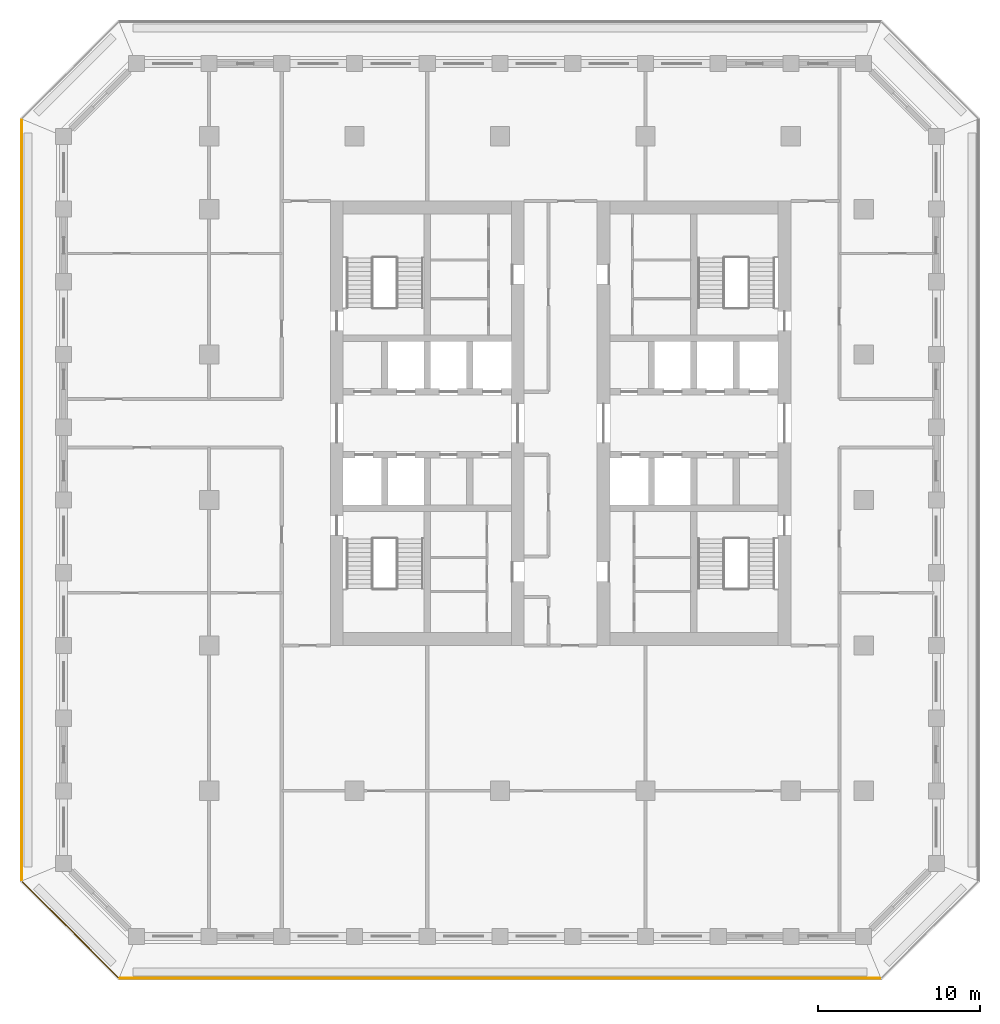
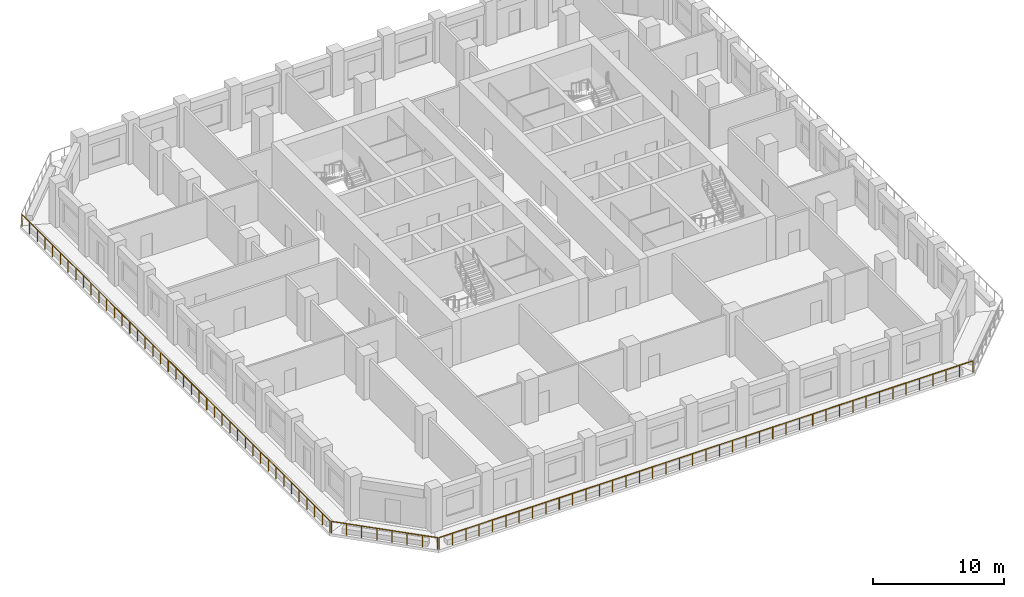
# One storey, part 9 of 16: 3 railings.
"""IFC4 building model written with IfcOpenShell, lengths in metres."""

from ifc_helpers import new_model, si_unit, direction, frame, origin, origin_2d, place, context, subcontext, project, spatial, circle, extrude, material, type_object, element, save


model = new_model("IFC4")

# Units and contexts
model_context = context("Model", 3, precision=1e-05, world=origin(), true_north=direction((0.0, 1.0)))
body_context = subcontext(model_context, "Body", "Model", "MODEL_VIEW")
ifc_project = project(units=[si_unit("LENGTHUNIT", "METRE"), si_unit("AREAUNIT", "SQUARE_METRE"), si_unit("VOLUMEUNIT", "CUBIC_METRE"), si_unit("PLANEANGLEUNIT", "RADIAN"), si_unit("MASSUNIT", "GRAM", prefix="KILO")], contexts=[model_context])

# Site, building, storey
site_placement = place(None, origin())
site = spatial("IfcSite", under=ifc_project, at=site_placement, CompositionType="ELEMENT")
building_placement = place(site_placement, origin())
building = spatial("IfcBuilding", under=site, at=building_placement, Name="Corbel Stack Research Tower", CompositionType="ELEMENT")
storey_placement = place(building_placement, frame((0.0, 0.0, 169.10009765625)))
storey = spatial("IfcBuildingStorey", under=building, at=storey_placement, Name="L38", CompositionType="ELEMENT", Elevation=169.10009765625)

# Railings
ifc_material = material(Name="Powder-coated steel guard", Category="steel")
railing_type = type_object("IfcRailingType", Name="Steel and glass guard 1100", PredefinedType="GUARDRAIL", material=ifc_material)
railing_1_placement = place(storey_placement, frame((-23.50537109375, -29.60009765625, 0.0)))
element("IfcRailing", 1, at=railing_1_placement, inside=storey, type_object=railing_type, Name="Loggia guard L38 S", PredefinedType="GUARDRAIL", context=body_context, shape_type="SweptSolid", body=[
    extrude(circle(Radius=0.02392578125, at=origin_2d()), frame((0.0, 0.0, 1.076171875), z_axis=(1.0, 0.0, 0.0), x_axis=(0.0, 1.0, 0.0)), (0.0, 0.0, 1.0), 47.0107421875),
    extrude(circle(Radius=0.02099609375, at=origin_2d()), origin(), (0.0, 0.0, 1.0), 1.052001953125),
    extrude(circle(Radius=0.02099609375, at=origin_2d()), frame((1.17529296875, 0.0, 0.0)), (0.0, 0.0, 1.0), 1.052001953125),
    extrude(circle(Radius=0.02099609375, at=origin_2d()), frame((2.3505859375, 0.0, 0.0)), (0.0, 0.0, 1.0), 1.052001953125),
    extrude(circle(Radius=0.02099609375, at=origin_2d()), frame((3.52587890625, 0.0, 0.0)), (0.0, 0.0, 1.0), 1.052001953125),
    extrude(circle(Radius=0.02099609375, at=origin_2d()), frame((4.701171875, 0.0, 0.0)), (0.0, 0.0, 1.0), 1.052001953125),
    extrude(circle(Radius=0.02099609375, at=origin_2d()), frame((5.87646484375, 0.0, 0.0)), (0.0, 0.0, 1.0), 1.052001953125),
    extrude(circle(Radius=0.02099609375, at=origin_2d()), frame((7.051513671875, 0.0, 0.0)), (0.0, 0.0, 1.0), 1.052001953125),
    extrude(circle(Radius=0.02099609375, at=origin_2d()), frame((8.226806640625, 0.0, 0.0)), (0.0, 0.0, 1.0), 1.052001953125),
    extrude(circle(Radius=0.02099609375, at=origin_2d()), frame((9.402099609375, 0.0, 0.0)), (0.0, 0.0, 1.0), 1.052001953125),
    extrude(circle(Radius=0.02099609375, at=origin_2d()), frame((10.577392578125, 0.0, 0.0)), (0.0, 0.0, 1.0), 1.052001953125),
    extrude(circle(Radius=0.02099609375, at=origin_2d()), frame((11.752685546875, 0.0, 0.0)), (0.0, 0.0, 1.0), 1.052001953125),
    extrude(circle(Radius=0.02099609375, at=origin_2d()), frame((12.927978515625, 0.0, 0.0)), (0.0, 0.0, 1.0), 1.052001953125),
    extrude(circle(Radius=0.02099609375, at=origin_2d()), frame((14.103271484375, 0.0, 0.0)), (0.0, 0.0, 1.0), 1.052001953125),
    extrude(circle(Radius=0.02099609375, at=origin_2d()), frame((15.278564453125, 0.0, 0.0)), (0.0, 0.0, 1.0), 1.052001953125),
    extrude(circle(Radius=0.02099609375, at=origin_2d()), frame((16.453857421875, 0.0, 0.0)), (0.0, 0.0, 1.0), 1.052001953125),
    extrude(circle(Radius=0.02099609375, at=origin_2d()), frame((17.62890625, 0.0, 0.0)), (0.0, 0.0, 1.0), 1.052001953125),
    extrude(circle(Radius=0.02099609375, at=origin_2d()), frame((18.80419921875, 0.0, 0.0)), (0.0, 0.0, 1.0), 1.052001953125),
    extrude(circle(Radius=0.02099609375, at=origin_2d()), frame((19.9794921875, 0.0, 0.0)), (0.0, 0.0, 1.0), 1.052001953125),
    extrude(circle(Radius=0.02099609375, at=origin_2d()), frame((21.15478515625, 0.0, 0.0)), (0.0, 0.0, 1.0), 1.052001953125),
    extrude(circle(Radius=0.02099609375, at=origin_2d()), frame((22.330078125, 0.0, 0.0)), (0.0, 0.0, 1.0), 1.052001953125),
    extrude(circle(Radius=0.02099609375, at=origin_2d()), frame((23.50537109375, 0.0, 0.0)), (0.0, 0.0, 1.0), 1.052001953125),
    extrude(circle(Radius=0.02099609375, at=origin_2d()), frame((24.6806640625, 0.0, 0.0)), (0.0, 0.0, 1.0), 1.052001953125),
    extrude(circle(Radius=0.02099609375, at=origin_2d()), frame((25.85595703125, 0.0, 0.0)), (0.0, 0.0, 1.0), 1.052001953125),
    extrude(circle(Radius=0.02099609375, at=origin_2d()), frame((27.03125, 0.0, 0.0)), (0.0, 0.0, 1.0), 1.052001953125),
    extrude(circle(Radius=0.02099609375, at=origin_2d()), frame((28.20654296875, 0.0, 0.0)), (0.0, 0.0, 1.0), 1.052001953125),
    extrude(circle(Radius=0.02099609375, at=origin_2d()), frame((29.3818359375, 0.0, 0.0)), (0.0, 0.0, 1.0), 1.052001953125),
    extrude(circle(Radius=0.02099609375, at=origin_2d()), frame((30.556884765625, 0.0, 0.0)), (0.0, 0.0, 1.0), 1.052001953125),
    extrude(circle(Radius=0.02099609375, at=origin_2d()), frame((31.732177734375, 0.0, 0.0)), (0.0, 0.0, 1.0), 1.052001953125),
    extrude(circle(Radius=0.02099609375, at=origin_2d()), frame((32.907470703125, 0.0, 0.0)), (0.0, 0.0, 1.0), 1.052001953125),
    extrude(circle(Radius=0.02099609375, at=origin_2d()), frame((34.082763671875, 0.0, 0.0)), (0.0, 0.0, 1.0), 1.052001953125),
    extrude(circle(Radius=0.02099609375, at=origin_2d()), frame((35.258056640625, 0.0, 0.0)), (0.0, 0.0, 1.0), 1.052001953125),
    extrude(circle(Radius=0.02099609375, at=origin_2d()), frame((36.433349609375, 0.0, 0.0)), (0.0, 0.0, 1.0), 1.052001953125),
    extrude(circle(Radius=0.02099609375, at=origin_2d()), frame((37.608642578125, 0.0, 0.0)), (0.0, 0.0, 1.0), 1.052001953125),
    extrude(circle(Radius=0.02099609375, at=origin_2d()), frame((38.783935546875, 0.0, 0.0)), (0.0, 0.0, 1.0), 1.052001953125),
    extrude(circle(Radius=0.02099609375, at=origin_2d()), frame((39.959228515625, 0.0, 0.0)), (0.0, 0.0, 1.0), 1.052001953125),
    extrude(circle(Radius=0.02099609375, at=origin_2d()), frame((41.13427734375, 0.0, 0.0)), (0.0, 0.0, 1.0), 1.052001953125),
    extrude(circle(Radius=0.02099609375, at=origin_2d()), frame((42.3095703125, 0.0, 0.0)), (0.0, 0.0, 1.0), 1.052001953125),
    extrude(circle(Radius=0.02099609375, at=origin_2d()), frame((43.48486328125, 0.0, 0.0)), (0.0, 0.0, 1.0), 1.052001953125),
    extrude(circle(Radius=0.02099609375, at=origin_2d()), frame((44.66015625, 0.0, 0.0)), (0.0, 0.0, 1.0), 1.052001953125),
    extrude(circle(Radius=0.02099609375, at=origin_2d()), frame((45.83544921875, 0.0, 0.0)), (0.0, 0.0, 1.0), 1.052001953125),
    extrude(circle(Radius=0.02099609375, at=origin_2d()), frame((47.0107421875, 0.0, 0.0)), (0.0, 0.0, 1.0), 1.052001953125),
])
railing_2_placement = place(storey_placement, frame((-29.60009765625, 23.50537109375, 0.0)))
element("IfcRailing", 2, at=railing_2_placement, inside=storey, type_object=railing_type, Name="Loggia guard L38 W", PredefinedType="GUARDRAIL", context=body_context, shape_type="SweptSolid", body=[
    extrude(circle(Radius=0.02392578125, at=origin_2d()), frame((0.0, 0.0, 1.076171875), z_axis=(0.0, -1.0, 0.0), x_axis=(1.0, 0.0, 0.0)), (0.0, 0.0, 1.0), 47.0107421875),
    extrude(circle(Radius=0.02099609375, at=origin_2d()), origin(), (0.0, 0.0, 1.0), 1.052001953125),
    extrude(circle(Radius=0.02099609375, at=origin_2d()), frame((0.0, -1.17529296875, 0.0)), (0.0, 0.0, 1.0), 1.052001953125),
    extrude(circle(Radius=0.02099609375, at=origin_2d()), frame((0.0, -2.3505859375, 0.0)), (0.0, 0.0, 1.0), 1.052001953125),
    extrude(circle(Radius=0.02099609375, at=origin_2d()), frame((0.0, -3.52587890625, 0.0)), (0.0, 0.0, 1.0), 1.052001953125),
    extrude(circle(Radius=0.02099609375, at=origin_2d()), frame((0.0, -4.701171875, 0.0)), (0.0, 0.0, 1.0), 1.052001953125),
    extrude(circle(Radius=0.02099609375, at=origin_2d()), frame((0.0, -5.87646484375, 0.0)), (0.0, 0.0, 1.0), 1.052001953125),
    extrude(circle(Radius=0.02099609375, at=origin_2d()), frame((0.0, -7.051513671875, 0.0)), (0.0, 0.0, 1.0), 1.052001953125),
    extrude(circle(Radius=0.02099609375, at=origin_2d()), frame((0.0, -8.226806640625, 0.0)), (0.0, 0.0, 1.0), 1.052001953125),
    extrude(circle(Radius=0.02099609375, at=origin_2d()), frame((0.0, -9.402099609375, 0.0)), (0.0, 0.0, 1.0), 1.052001953125),
    extrude(circle(Radius=0.02099609375, at=origin_2d()), frame((0.0, -10.577392578125, 0.0)), (0.0, 0.0, 1.0), 1.052001953125),
    extrude(circle(Radius=0.02099609375, at=origin_2d()), frame((0.0, -11.752685546875, 0.0)), (0.0, 0.0, 1.0), 1.052001953125),
    extrude(circle(Radius=0.02099609375, at=origin_2d()), frame((0.0, -12.927978515625, 0.0)), (0.0, 0.0, 1.0), 1.052001953125),
    extrude(circle(Radius=0.02099609375, at=origin_2d()), frame((0.0, -14.103271484375, 0.0)), (0.0, 0.0, 1.0), 1.052001953125),
    extrude(circle(Radius=0.02099609375, at=origin_2d()), frame((0.0, -15.278564453125, 0.0)), (0.0, 0.0, 1.0), 1.052001953125),
    extrude(circle(Radius=0.02099609375, at=origin_2d()), frame((0.0, -16.453857421875, 0.0)), (0.0, 0.0, 1.0), 1.052001953125),
    extrude(circle(Radius=0.02099609375, at=origin_2d()), frame((0.0, -17.62890625, 0.0)), (0.0, 0.0, 1.0), 1.052001953125),
    extrude(circle(Radius=0.02099609375, at=origin_2d()), frame((0.0, -18.80419921875, 0.0)), (0.0, 0.0, 1.0), 1.052001953125),
    extrude(circle(Radius=0.02099609375, at=origin_2d()), frame((0.0, -19.9794921875, 0.0)), (0.0, 0.0, 1.0), 1.052001953125),
    extrude(circle(Radius=0.02099609375, at=origin_2d()), frame((0.0, -21.15478515625, 0.0)), (0.0, 0.0, 1.0), 1.052001953125),
    extrude(circle(Radius=0.02099609375, at=origin_2d()), frame((0.0, -22.330078125, 0.0)), (0.0, 0.0, 1.0), 1.052001953125),
    extrude(circle(Radius=0.02099609375, at=origin_2d()), frame((0.0, -23.50537109375, 0.0)), (0.0, 0.0, 1.0), 1.052001953125),
    extrude(circle(Radius=0.02099609375, at=origin_2d()), frame((0.0, -24.6806640625, 0.0)), (0.0, 0.0, 1.0), 1.052001953125),
    extrude(circle(Radius=0.02099609375, at=origin_2d()), frame((0.0, -25.85595703125, 0.0)), (0.0, 0.0, 1.0), 1.052001953125),
    extrude(circle(Radius=0.02099609375, at=origin_2d()), frame((0.0, -27.03125, 0.0)), (0.0, 0.0, 1.0), 1.052001953125),
    extrude(circle(Radius=0.02099609375, at=origin_2d()), frame((0.0, -28.20654296875, 0.0)), (0.0, 0.0, 1.0), 1.052001953125),
    extrude(circle(Radius=0.02099609375, at=origin_2d()), frame((0.0, -29.3818359375, 0.0)), (0.0, 0.0, 1.0), 1.052001953125),
    extrude(circle(Radius=0.02099609375, at=origin_2d()), frame((0.0, -30.556884765625, 0.0)), (0.0, 0.0, 1.0), 1.052001953125),
    extrude(circle(Radius=0.02099609375, at=origin_2d()), frame((0.0, -31.732177734375, 0.0)), (0.0, 0.0, 1.0), 1.052001953125),
    extrude(circle(Radius=0.02099609375, at=origin_2d()), frame((0.0, -32.907470703125, 0.0)), (0.0, 0.0, 1.0), 1.052001953125),
    extrude(circle(Radius=0.02099609375, at=origin_2d()), frame((0.0, -34.082763671875, 0.0)), (0.0, 0.0, 1.0), 1.052001953125),
    extrude(circle(Radius=0.02099609375, at=origin_2d()), frame((0.0, -35.258056640625, 0.0)), (0.0, 0.0, 1.0), 1.052001953125),
    extrude(circle(Radius=0.02099609375, at=origin_2d()), frame((0.0, -36.433349609375, 0.0)), (0.0, 0.0, 1.0), 1.052001953125),
    extrude(circle(Radius=0.02099609375, at=origin_2d()), frame((0.0, -37.608642578125, 0.0)), (0.0, 0.0, 1.0), 1.052001953125),
    extrude(circle(Radius=0.02099609375, at=origin_2d()), frame((0.0, -38.783935546875, 0.0)), (0.0, 0.0, 1.0), 1.052001953125),
    extrude(circle(Radius=0.02099609375, at=origin_2d()), frame((0.0, -39.959228515625, 0.0)), (0.0, 0.0, 1.0), 1.052001953125),
    extrude(circle(Radius=0.02099609375, at=origin_2d()), frame((0.0, -41.13427734375, 0.0)), (0.0, 0.0, 1.0), 1.052001953125),
    extrude(circle(Radius=0.02099609375, at=origin_2d()), frame((0.0, -42.3095703125, 0.0)), (0.0, 0.0, 1.0), 1.052001953125),
    extrude(circle(Radius=0.02099609375, at=origin_2d()), frame((0.0, -43.48486328125, 0.0)), (0.0, 0.0, 1.0), 1.052001953125),
    extrude(circle(Radius=0.02099609375, at=origin_2d()), frame((0.0, -44.66015625, 0.0)), (0.0, 0.0, 1.0), 1.052001953125),
    extrude(circle(Radius=0.02099609375, at=origin_2d()), frame((0.0, -45.83544921875, 0.0)), (0.0, 0.0, 1.0), 1.052001953125),
    extrude(circle(Radius=0.02099609375, at=origin_2d()), frame((0.0, -47.0107421875, 0.0)), (0.0, 0.0, 1.0), 1.052001953125),
])
railing_3_placement = place(storey_placement, frame((-29.54931640625, -23.627685546875, 0.0)))
element("IfcRailing", 3, at=railing_3_placement, inside=storey, type_object=railing_type, Name="Loggia guard L38 SW", PredefinedType="GUARDRAIL", context=body_context, shape_type="SweptSolid", body=[
    extrude(circle(Radius=0.02392578125, at=origin_2d()), frame((0.0, 0.0, 1.076171875), z_axis=(0.707106781187, -0.707106781187, 0.0), x_axis=(0.707106781187, 0.707106781187, 0.0)), (0.0, 0.0, 1.0), 8.37451171875),
    extrude(circle(Radius=0.02099609375, at=origin_2d()), origin(), (0.0, 0.0, 1.0), 1.052001953125),
    extrude(circle(Radius=0.02099609375, at=origin_2d()), frame((0.845947265625, -0.845947265625, 0.0)), (0.0, 0.0, 1.0), 1.052001953125),
    extrude(circle(Radius=0.02099609375, at=origin_2d()), frame((1.69189453125, -1.69189453125, 0.0)), (0.0, 0.0, 1.0), 1.052001953125),
    extrude(circle(Radius=0.02099609375, at=origin_2d()), frame((2.537841796875, -2.537841796875, 0.0)), (0.0, 0.0, 1.0), 1.052001953125),
    extrude(circle(Radius=0.02099609375, at=origin_2d()), frame((3.3837890625, -3.3837890625, 0.0)), (0.0, 0.0, 1.0), 1.052001953125),
    extrude(circle(Radius=0.02099609375, at=origin_2d()), frame((4.229736328125, -4.229736328125, 0.0)), (0.0, 0.0, 1.0), 1.052001953125),
    extrude(circle(Radius=0.02099609375, at=origin_2d()), frame((5.07568359375, -5.07568359375, 0.0)), (0.0, 0.0, 1.0), 1.052001953125),
    extrude(circle(Radius=0.02099609375, at=origin_2d()), frame((5.921630859375, -5.921630859375, 0.0)), (0.0, 0.0, 1.0), 1.052001953125),
])

save(model, "model.ifc")
